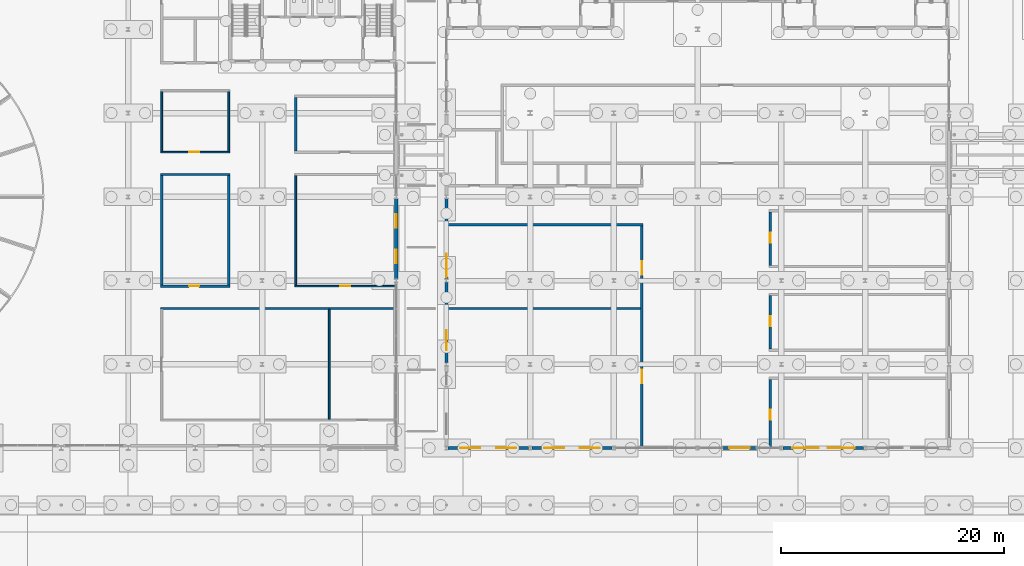
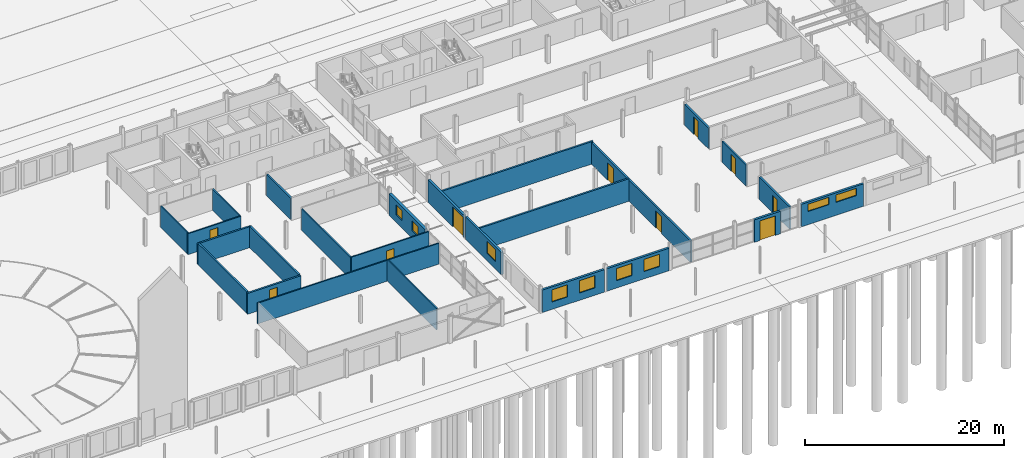
# One storey, part 80 of 130: 25 walls, 10 doors, 9 windows, 19 openings.
"""IFC4 building model written with IfcOpenShell, lengths in metres."""

from ifc_helpers import new_model, si_unit, direction, frame, frame_2d, origin, place, context, subcontext, project, spatial, rectangle, extrude, material, layer, layer_set, type_object, element, fill, save


model = new_model("IFC4")

# Units and contexts
model_context = context("Model", 3, precision=1e-05, world=origin(), true_north=direction((0.0, 1.0)))
body_context = subcontext(model_context, "Body", "Model", "MODEL_VIEW")
ifc_project = project(units=[si_unit("LENGTHUNIT", "METRE"), si_unit("AREAUNIT", "SQUARE_METRE"), si_unit("VOLUMEUNIT", "CUBIC_METRE"), si_unit("PLANEANGLEUNIT", "RADIAN"), si_unit("MASSUNIT", "GRAM", prefix="KILO")], contexts=[model_context])

# Site, building, storey
site_placement = place(None, origin())
site = spatial("IfcSite", under=ifc_project, at=site_placement, CompositionType="ELEMENT")
building_placement = place(site_placement, origin())
building = spatial("IfcBuilding", under=site, at=building_placement, Name="Parallax Yard Mobility Hub", CompositionType="ELEMENT")
storey_placement = place(building_placement, origin())
storey = spatial("IfcBuildingStorey", under=building, at=storey_placement, Name="L00", CompositionType="ELEMENT", Elevation=0.0)

# Wall, openings, windows
ifc_material_1 = material(Name="Concrete fc' 35 MPa", Category="concrete")
ifc_layer_1 = layer(ifc_material_1, 0.25)
ifc_layer_set_1 = layer_set([ifc_layer_1], Name="Exterior wall, Concrete fc' 35 MPa precast, 250 with insulation lining")
wall_type_1 = type_object("IfcWallType", Name="Exterior wall, Concrete fc' 35 MPa precast, 250 with insulation lining", PredefinedType="SOLIDWALL", material=ifc_layer_set_1)
wall_1_placement = place(storey_placement, frame((97.653564453125, 7.5, 0.0), z_axis=(0.0, 0.0, 1.0), x_axis=(1.0, 0.0, 0.0)))
wall_1 = element("IfcWall", 1, at=wall_1_placement, inside=storey, type_object=wall_type_1, Name="Mobility service centre and workshops south wall bay 1 level L00", PredefinedType="SOLIDWALL", context=body_context, shape_type="SweptSolid", body=[
    extrude(rectangle(XDim=7.19287109375, YDim=0.25, at=frame_2d((3.596435546875, 0.0))), origin(), (0.0, 0.0, 1.0), 2.7509765625),
])
opening_1_placement = place(wall_1_placement, frame((1.09765625, 0.0, 0.89990234375)))
opening_1 = element("IfcOpeningElement", 2, at=opening_1_placement, cuts=wall_1, Name="Opening W5", PredefinedType="OPENING", context=body_context, shape_type="SweptSolid", body=[
    extrude(rectangle(XDim=1.800048828125, YDim=1.5, at=frame_2d((0.89990234375, 0.75))), frame((0.0, 0.135009765625, 0.0), z_axis=(0.0, -1.0, 0.0), x_axis=(1.0, 0.0, 0.0)), (0.0, 0.0, 1.0), 0.27001953125),
])
opening_2_placement = place(wall_1_placement, frame((4.29541015625, 0.0, 0.89990234375)))
opening_2 = element("IfcOpeningElement", 3, at=opening_2_placement, cuts=wall_1, Name="Opening W5", PredefinedType="OPENING", context=body_context, shape_type="SweptSolid", body=[
    extrude(rectangle(XDim=1.800048828125, YDim=1.5, at=frame_2d((0.89990234375, 0.75))), frame((0.0, 0.135009765625, 0.0), z_axis=(0.0, -1.0, 0.0), x_axis=(1.0, 0.0, 0.0)), (0.0, 0.0, 1.0), 0.27001953125),
])
ifc_material_2 = material(Name="Double glazed low-E unit in thermally broken aluminium frame", Category="aluminium")
window_type_1 = type_object("IfcWindowType", Name="Laboratory window 1800 x 1500", PartitioningType="SINGLE_PANEL", PredefinedType="WINDOW", material=ifc_material_2)
window_1_placement = place(opening_1_placement, origin())
window_1 = element("IfcWindow", 4, at=window_1_placement, inside=storey, type_object=window_type_1, Name="Window W5 level L00", OverallHeight=1.5, OverallWidth=1.800048828125, PartitioningType="SINGLE_PANEL", PredefinedType="WINDOW", context=body_context, shape_type="SweptSolid", body=[
    extrude(rectangle(XDim=1.800048828125, YDim=1.5, at=frame_2d((0.89990234375, 0.75))), frame((0.0, 0.030029296875, 0.0), z_axis=(0.0, -1.0, 0.0), x_axis=(1.0, 0.0, 0.0)), (0.0, 0.0, 1.0), 0.06005859375),
])
fill(opening_1, window_1)
window_2_placement = place(opening_2_placement, origin())
window_2 = element("IfcWindow", 5, at=window_2_placement, inside=storey, type_object=window_type_1, Name="Window W5 level L00", OverallHeight=1.5, OverallWidth=1.800048828125, PartitioningType="SINGLE_PANEL", PredefinedType="WINDOW", context=body_context, shape_type="SweptSolid", body=[
    extrude(rectangle(XDim=1.800048828125, YDim=1.5, at=frame_2d((0.89990234375, 0.75))), frame((0.0, 0.030029296875, 0.0), z_axis=(0.0, -1.0, 0.0), x_axis=(1.0, 0.0, 0.0)), (0.0, 0.0, 1.0), 0.06005859375),
])
fill(opening_2, window_2)

wall_2_placement = place(storey_placement, frame((105.153564453125, 7.5, 0.0), z_axis=(0.0, 0.0, 1.0), x_axis=(1.0, 0.0, 0.0)))
wall_2 = element("IfcWall", 6, at=wall_2_placement, inside=storey, type_object=wall_type_1, Name="Mobility service centre and workshops south wall bay 2 level L00", PredefinedType="SOLIDWALL", context=body_context, shape_type="SweptSolid", body=[
    extrude(rectangle(XDim=7.19287109375, YDim=0.25, at=frame_2d((3.596435546875, 0.0))), origin(), (0.0, 0.0, 1.0), 2.7509765625),
])
opening_3_placement = place(wall_2_placement, frame((1.09765625, 0.0, 0.89990234375)))
opening_3 = element("IfcOpeningElement", 7, at=opening_3_placement, cuts=wall_2, Name="Opening W5", PredefinedType="OPENING", context=body_context, shape_type="SweptSolid", body=[
    extrude(rectangle(XDim=1.800048828125, YDim=1.5, at=frame_2d((0.89990234375, 0.75))), frame((0.0, 0.135009765625, 0.0), z_axis=(0.0, -1.0, 0.0), x_axis=(1.0, 0.0, 0.0)), (0.0, 0.0, 1.0), 0.27001953125),
])
opening_4_placement = place(wall_2_placement, frame((4.29541015625, 0.0, 0.89990234375)))
opening_4 = element("IfcOpeningElement", 8, at=opening_4_placement, cuts=wall_2, Name="Opening W5", PredefinedType="OPENING", context=body_context, shape_type="SweptSolid", body=[
    extrude(rectangle(XDim=1.800048828125, YDim=1.5, at=frame_2d((0.89990234375, 0.75))), frame((0.0, 0.135009765625, 0.0), z_axis=(0.0, -1.0, 0.0), x_axis=(1.0, 0.0, 0.0)), (0.0, 0.0, 1.0), 0.27001953125),
])
window_3_placement = place(opening_3_placement, origin())
window_3 = element("IfcWindow", 9, at=window_3_placement, inside=storey, type_object=window_type_1, Name="Window W5 level L00", OverallHeight=1.5, OverallWidth=1.800048828125, PartitioningType="SINGLE_PANEL", PredefinedType="WINDOW", context=body_context, shape_type="SweptSolid", body=[
    extrude(rectangle(XDim=1.800048828125, YDim=1.5, at=frame_2d((0.89990234375, 0.75))), frame((0.0, 0.030029296875, 0.0), z_axis=(0.0, -1.0, 0.0), x_axis=(1.0, 0.0, 0.0)), (0.0, 0.0, 1.0), 0.06005859375),
])
fill(opening_3, window_3)
window_4_placement = place(opening_4_placement, origin())
window_4 = element("IfcWindow", 10, at=window_4_placement, inside=storey, type_object=window_type_1, Name="Window W5 level L00", OverallHeight=1.5, OverallWidth=1.800048828125, PartitioningType="SINGLE_PANEL", PredefinedType="WINDOW", context=body_context, shape_type="SweptSolid", body=[
    extrude(rectangle(XDim=1.800048828125, YDim=1.5, at=frame_2d((0.89990234375, 0.75))), frame((0.0, 0.030029296875, 0.0), z_axis=(0.0, -1.0, 0.0), x_axis=(1.0, 0.0, 0.0)), (0.0, 0.0, 1.0), 0.06005859375),
])
fill(opening_4, window_4)

# Wall, opening, door
wall_3_placement = place(storey_placement, frame((122.25, 7.5, 0.0), z_axis=(0.0, 0.0, 1.0), x_axis=(1.0, 0.0, 0.0)))
wall_3 = element("IfcWall", 11, at=wall_3_placement, inside=storey, type_object=wall_type_1, Name="Mobility service centre and workshops south door pier bay 4 level L00", PredefinedType="SOLIDWALL", context=body_context, shape_type="SweptSolid", body=[
    extrude(rectangle(XDim=3.0, YDim=0.25, at=frame_2d((1.5, 0.0))), origin(), (0.0, 0.0, 1.0), 2.7509765625),
])
opening_5_placement = place(wall_3_placement, frame((0.60009765625, 0.0, 0.0)))
opening_5 = element("IfcOpeningElement", 12, at=opening_5_placement, cuts=wall_3, Name="Opening L00-D119", PredefinedType="OPENING", context=body_context, shape_type="SweptSolid", body=[
    extrude(rectangle(XDim=1.800048828125, YDim=2.39990234375, at=frame_2d((0.89990234375, 1.199951171875))), frame((0.0, 0.135009765625, 0.0), z_axis=(0.0, -1.0, 0.0), x_axis=(1.0, 0.0, 0.0)), (0.0, 0.0, 1.0), 0.27001953125),
])
ifc_material_3 = material(Name="Aluminium frame with laminated glass leaves", Category="aluminium")
door_type_1 = type_object("IfcDoorType", Name="Entrance door double 1800 x 2400", OperationType="DOUBLE_DOOR_SINGLE_SWING", PredefinedType="DOOR", material=ifc_material_3)
door_1_placement = place(opening_5_placement, origin())
door_1 = element("IfcDoor", 13, at=door_1_placement, inside=storey, type_object=door_type_1, Name="Entrance door L00-D119", OperationType="DOUBLE_DOOR_SINGLE_SWING", OverallHeight=2.39990234375, OverallWidth=1.800048828125, PredefinedType="DOOR", context=body_context, shape_type="SweptSolid", body=[
    extrude(rectangle(XDim=1.800048828125, YDim=2.39990234375, at=frame_2d((0.89990234375, 1.199951171875))), frame((0.0, 0.02490234375, 0.0), z_axis=(0.0, -1.0, 0.0), x_axis=(1.0, 0.0, 0.0)), (0.0, 0.0, 1.0), 0.050048828125),
])
fill(opening_5, door_1)

# Wall, openings, windows
wall_4_placement = place(storey_placement, frame((127.653564453125, 7.5, 0.0), z_axis=(0.0, 0.0, 1.0), x_axis=(1.0, 0.0, 0.0)))
wall_4 = element("IfcWall", 14, at=wall_4_placement, inside=storey, type_object=wall_type_1, Name="Mobility service centre and workshops south wall bay 5 level L00", PredefinedType="SOLIDWALL", context=body_context, shape_type="SweptSolid", body=[
    extrude(rectangle(XDim=7.19287109375, YDim=0.25, at=frame_2d((3.596435546875, 0.0))), origin(), (0.0, 0.0, 1.0), 2.7509765625),
])
opening_6_placement = place(wall_4_placement, frame((0.797607421875, 0.0, 1.60009765625)))
opening_6 = element("IfcOpeningElement", 15, at=opening_6_placement, cuts=wall_4, Name="Opening W4", PredefinedType="OPENING", context=body_context, shape_type="SweptSolid", body=[
    extrude(rectangle(XDim=2.39990234375, YDim=0.89990234375, at=frame_2d((1.199951171875, 0.449951171875))), frame((0.0, 0.135009765625, 0.0), z_axis=(0.0, -1.0, 0.0), x_axis=(1.0, 0.0, 0.0)), (0.0, 0.0, 1.0), 0.27001953125),
])
opening_7_placement = place(wall_4_placement, frame((3.995361328125, 0.0, 1.60009765625)))
opening_7 = element("IfcOpeningElement", 16, at=opening_7_placement, cuts=wall_4, Name="Opening W4", PredefinedType="OPENING", context=body_context, shape_type="SweptSolid", body=[
    extrude(rectangle(XDim=2.39990234375, YDim=0.89990234375, at=frame_2d((1.199951171875, 0.449951171875))), frame((0.0, 0.135009765625, 0.0), z_axis=(0.0, -1.0, 0.0), x_axis=(1.0, 0.0, 0.0)), (0.0, 0.0, 1.0), 0.27001953125),
])
window_type_2 = type_object("IfcWindowType", Name="Workshop high-level window 2400 x 900", PartitioningType="DOUBLE_PANEL_VERTICAL", PredefinedType="WINDOW", material=ifc_material_2)
window_5_placement = place(opening_6_placement, origin())
window_5 = element("IfcWindow", 17, at=window_5_placement, inside=storey, type_object=window_type_2, Name="Window W4 level L00", OverallHeight=0.89990234375, OverallWidth=2.39990234375, PartitioningType="DOUBLE_PANEL_VERTICAL", PredefinedType="WINDOW", context=body_context, shape_type="SweptSolid", body=[
    extrude(rectangle(XDim=2.39990234375, YDim=0.89990234375, at=frame_2d((1.199951171875, 0.449951171875))), frame((0.0, 0.030029296875, 0.0), z_axis=(0.0, -1.0, 0.0), x_axis=(1.0, 0.0, 0.0)), (0.0, 0.0, 1.0), 0.06005859375),
])
fill(opening_6, window_5)
window_6_placement = place(opening_7_placement, origin())
window_6 = element("IfcWindow", 18, at=window_6_placement, inside=storey, type_object=window_type_2, Name="Window W4 level L00", OverallHeight=0.89990234375, OverallWidth=2.39990234375, PartitioningType="DOUBLE_PANEL_VERTICAL", PredefinedType="WINDOW", context=body_context, shape_type="SweptSolid", body=[
    extrude(rectangle(XDim=2.39990234375, YDim=0.89990234375, at=frame_2d((1.199951171875, 0.449951171875))), frame((0.0, 0.030029296875, 0.0), z_axis=(0.0, -1.0, 0.0), x_axis=(1.0, 0.0, 0.0)), (0.0, 0.0, 1.0), 0.06005859375),
])
fill(opening_7, window_6)

# Wall, opening, window
wall_5_placement = place(storey_placement, frame((97.5, 15.153564453125, 0.0), z_axis=(0.0, 0.0, 1.0), x_axis=(0.0, 1.0, 0.0)))
wall_5 = element("IfcWall", 19, at=wall_5_placement, inside=storey, type_object=wall_type_1, Name="Mobility service centre and workshops west wall bay 2 level L00", PredefinedType="SOLIDWALL", context=body_context, shape_type="SweptSolid", body=[
    extrude(rectangle(XDim=7.19287109375, YDim=0.25, at=frame_2d((3.596435546875, 0.0))), origin(), (0.0, 0.0, 1.0), 2.7509765625),
])
opening_8_placement = place(wall_5_placement, frame((1.09765625, 0.0, 0.89990234375)))
opening_8 = element("IfcOpeningElement", 20, at=opening_8_placement, cuts=wall_5, Name="Opening W5", PredefinedType="OPENING", context=body_context, shape_type="SweptSolid", body=[
    extrude(rectangle(XDim=1.800048828125, YDim=1.5, at=frame_2d((0.89990234375, 0.75))), frame((0.0, 0.135009765625, 0.0), z_axis=(0.0, -1.0, 0.0), x_axis=(1.0, 0.0, 0.0)), (0.0, 0.0, 1.0), 0.27001953125),
])
window_7_placement = place(opening_8_placement, origin())
window_7 = element("IfcWindow", 21, at=window_7_placement, inside=storey, type_object=window_type_1, Name="Window W5 level L00", OverallHeight=1.5, OverallWidth=1.800048828125, PartitioningType="SINGLE_PANEL", PredefinedType="WINDOW", context=body_context, shape_type="SweptSolid", body=[
    extrude(rectangle(XDim=1.800048828125, YDim=1.5, at=frame_2d((0.89990234375, 0.75))), frame((0.0, 0.030029296875, 0.0), z_axis=(0.0, -1.0, 0.0), x_axis=(1.0, 0.0, 0.0)), (0.0, 0.0, 1.0), 0.06005859375),
])
fill(opening_8, window_7)

# Wall, opening, door
wall_6_placement = place(storey_placement, frame((97.5, 22.653564453125, 0.0), z_axis=(0.0, 0.0, 1.0), x_axis=(0.0, 1.0, 0.0)))
wall_6 = element("IfcWall", 22, at=wall_6_placement, inside=storey, type_object=wall_type_1, Name="Mobility service centre and workshops west wall bay 3 level L00", PredefinedType="SOLIDWALL", context=body_context, shape_type="SweptSolid", body=[
    extrude(rectangle(XDim=7.19287109375, YDim=0.25, at=frame_2d((3.596435546875, 0.0))), origin(), (0.0, 0.0, 1.0), 2.7509765625),
])
opening_9_placement = place(wall_6_placement, frame((0.14990234375, 0.0, 0.0)))
opening_9 = element("IfcOpeningElement", 23, at=opening_9_placement, cuts=wall_6, Name="Opening L00-D121", PredefinedType="OPENING", context=body_context, shape_type="SweptSolid", body=[
    extrude(rectangle(XDim=2.10009765625, YDim=2.39990234375, at=frame_2d((1.050048828125, 1.199951171875))), frame((0.0, 0.135009765625, 0.0), z_axis=(0.0, -1.0, 0.0), x_axis=(1.0, 0.0, 0.0)), (0.0, 0.0, 1.0), 0.27001953125),
])
door_type_2 = type_object("IfcDoorType", Name="Cycle hall door double 2100 x 2400", OperationType="DOUBLE_DOOR_SINGLE_SWING", PredefinedType="DOOR", material=ifc_material_3)
door_2_placement = place(opening_9_placement, origin())
door_2 = element("IfcDoor", 24, at=door_2_placement, inside=storey, type_object=door_type_2, Name="Store exit door L00-D121", OperationType="DOUBLE_DOOR_SINGLE_SWING", OverallHeight=2.39990234375, OverallWidth=2.10009765625, PredefinedType="DOOR", context=body_context, shape_type="SweptSolid", body=[
    extrude(rectangle(XDim=2.10009765625, YDim=2.39990234375, at=frame_2d((1.050048828125, 1.199951171875))), frame((0.0, 0.02490234375, 0.0), z_axis=(0.0, -1.0, 0.0), x_axis=(1.0, 0.0, 0.0)), (0.0, 0.0, 1.0), 0.050048828125),
])
fill(opening_9, door_2)

# Wall
ifc_material_4 = material(Name="Fire-rated plasterboard partition, two layers each side")
ifc_layer_2 = layer(ifc_material_4, 0.199951171875)
ifc_layer_set_2 = layer_set([ifc_layer_2], Name="Fire-rated partition 200 mm")
wall_type_2 = type_object("IfcWallType", Name="Fire-rated partition 200 mm", PredefinedType="PARTITIONING", material=ifc_layer_set_2)
wall_7_placement = place(storey_placement, frame((97.625, 20.0, 0.0), z_axis=(0.0, 0.0, 1.0), x_axis=(1.0, 0.0, 0.0)))
element("IfcWall", 25, at=wall_7_placement, inside=storey, type_object=wall_type_2, Name="Partition 6 level L00", PredefinedType="PARTITIONING", context=body_context, shape_type="SweptSolid", body=[
    extrude(rectangle(XDim=17.27490234375, YDim=0.199951171875, at=frame_2d((8.637451171875, 0.0))), origin(), (0.0, 0.0, 1.0), 2.7509765625),
])

# Wall, opening, door
wall_8_placement = place(storey_placement, frame((71.89990234375, 22.0, 0.0), z_axis=(0.0, 0.0, 1.0), x_axis=(1.0, 0.0, 0.0)))
wall_8 = element("IfcWall", 26, at=wall_8_placement, inside=storey, type_object=wall_type_2, Name="Partition 10 level L00", PredefinedType="PARTITIONING", context=body_context, shape_type="SweptSolid", body=[
    extrude(rectangle(XDim=6.2001953125, YDim=0.199951171875, at=frame_2d((3.10009765625, 0.0))), origin(), (0.0, 0.0, 1.0), 2.56005859375),
])
opening_10_placement = place(wall_8_placement, frame((2.550048828125, 0.0, 0.0)))
opening_10 = element("IfcOpeningElement", 27, at=opening_10_placement, cuts=wall_8, Name="Opening L00-D208", PredefinedType="OPENING", context=body_context, shape_type="SweptSolid", body=[
    extrude(rectangle(XDim=0.89990234375, YDim=2.10009765625, at=frame_2d((0.449951171875, 1.050048828125))), frame((0.0, 0.10986328125, 0.0), z_axis=(0.0, -1.0, 0.0), x_axis=(1.0, 0.0, 0.0)), (0.0, 0.0, 1.0), 0.219970703125),
])
ifc_material_5 = material(Name="Hollow metal fire door leaf with intumescent seals")
door_type_3 = type_object("IfcDoorType", Name="Fire door 900 mm FD60", OperationType="NOTDEFINED", PredefinedType="DOOR", material=ifc_material_5)
door_3_placement = place(opening_10_placement, origin())
door_3 = element("IfcDoor", 28, at=door_3_placement, inside=storey, type_object=door_type_3, Name="Door L00-D208 Baggage Room", OperationType="SINGLE_SWING_LEFT", OverallHeight=2.10009765625, OverallWidth=0.89990234375, PredefinedType="DOOR", context=body_context, shape_type="SweptSolid", body=[
    extrude(rectangle(XDim=0.89990234375, YDim=2.10009765625, at=frame_2d((0.449951171875, 1.050048828125))), frame((0.0, 0.02490234375, 0.0), z_axis=(0.0, -1.0, 0.0), x_axis=(1.0, 0.0, 0.0)), (0.0, 0.0, 1.0), 0.050048828125),
])
fill(opening_10, door_3)

# Walls
wall_9_placement = place(storey_placement, frame((97.625, 27.5, 0.0), z_axis=(0.0, 0.0, 1.0), x_axis=(1.0, 0.0, 0.0)))
element("IfcWall", 29, at=wall_9_placement, inside=storey, type_object=wall_type_2, Name="Partition 13 level L00", PredefinedType="PARTITIONING", context=body_context, shape_type="SweptSolid", body=[
    extrude(rectangle(XDim=17.47509765625, YDim=0.199951171875, at=frame_2d((8.737548828125, 0.0))), origin(), (0.0, 0.0, 1.0), 2.7509765625),
])
wall_10_placement = place(storey_placement, frame((71.89990234375, 32.0, 0.0), z_axis=(0.0, 0.0, 1.0), x_axis=(1.0, 0.0, 0.0)))
element("IfcWall", 30, at=wall_10_placement, inside=storey, type_object=wall_type_2, Name="Partition 19 level L00", PredefinedType="PARTITIONING", context=body_context, shape_type="SweptSolid", body=[
    extrude(rectangle(XDim=6.2001953125, YDim=0.199951171875, at=frame_2d((3.10009765625, 0.0))), origin(), (0.0, 0.0, 1.0), 2.56005859375),
])
for number, where, z_axis, x_axis, name in (
    (31, (72.0, 22.10009765625, 0.0), (0.0, 0.0, 1.0), (0.0, 1.0, 0.0), "Partition 73 level L00"),
    (32, (78.0, 22.10009765625, 0.0), (0.0, 0.0, 1.0), (0.0, 1.0, 0.0), "Partition 77 level L00"),
):
    element("IfcWall", number, at=place(storey_placement, frame(where, z_axis=z_axis, x_axis=x_axis)), inside=storey, type_object=wall_type_2, Name=name, PredefinedType="PARTITIONING", context=body_context, shape_type="SweptSolid", body=[
        extrude(rectangle(XDim=9.7998046875, YDim=0.199951171875, at=frame_2d((4.89990234375, 0.0))), origin(), (0.0, 0.0, 1.0), 2.626953125),
    ])
wall_11_placement = place(storey_placement, frame((84.0, 34.10009765625, 0.0), z_axis=(0.0, 0.0, 1.0), x_axis=(0.0, 1.0, 0.0)))
element("IfcWall", 33, at=wall_11_placement, inside=storey, type_object=wall_type_2, Name="Partition 83 level L00", PredefinedType="PARTITIONING", context=body_context, shape_type="SweptSolid", body=[
    extrude(rectangle(XDim=4.7998046875, YDim=0.199951171875, at=frame_2d((2.39990234375, 0.0))), origin(), (0.0, 0.0, 1.0), 2.626953125),
])

# Wall, openings, doors
wall_12_placement = place(storey_placement, frame((115.0, 7.574951171875, 0.0), z_axis=(0.0, 0.0, 1.0), x_axis=(0.0, 1.0, 0.0)))
wall_12 = element("IfcWall", 34, at=wall_12_placement, inside=storey, type_object=wall_type_2, Name="Partition 95 level L00", PredefinedType="PARTITIONING", context=body_context, shape_type="SweptSolid", body=[
    extrude(rectangle(XDim=19.824951171875, YDim=0.199951171875, at=frame_2d((9.91259765625, 0.0))), origin(), (0.0, 0.0, 1.0), 2.626953125),
])
opening_11_placement = place(wall_12_placement, frame((5.72509765625, 0.0, 0.0)))
opening_11 = element("IfcOpeningElement", 35, at=opening_11_placement, cuts=wall_12, Name="Opening L00-D202", PredefinedType="OPENING", context=body_context, shape_type="SweptSolid", body=[
    extrude(rectangle(XDim=1.199951171875, YDim=2.10009765625, at=frame_2d((0.60009765625, 1.050048828125))), frame((0.0, 0.10986328125, 0.0), z_axis=(0.0, -1.0, 0.0), x_axis=(1.0, 0.0, 0.0)), (0.0, 0.0, 1.0), 0.219970703125),
])
opening_12_placement = place(wall_12_placement, frame((15.4501953125, 0.0, 0.0)))
opening_12 = element("IfcOpeningElement", 36, at=opening_12_placement, cuts=wall_12, Name="Opening L00-D210", PredefinedType="OPENING", context=body_context, shape_type="SweptSolid", body=[
    extrude(rectangle(XDim=1.199951171875, YDim=2.10009765625, at=frame_2d((0.60009765625, 1.050048828125))), frame((0.0, 0.10986328125, 0.0), z_axis=(0.0, -1.0, 0.0), x_axis=(1.0, 0.0, 0.0)), (0.0, 0.0, 1.0), 0.219970703125),
])
door_type_4 = type_object("IfcDoorType", Name="Fire door 1200 mm FD60", OperationType="DOUBLE_DOOR_SINGLE_SWING", PredefinedType="DOOR", material=ifc_material_5)
door_4_placement = place(opening_11_placement, origin())
door_4 = element("IfcDoor", 37, at=door_4_placement, inside=storey, type_object=door_type_4, Name="Door L00-D202 EV Equipment Laboratory", OperationType="DOUBLE_DOOR_SINGLE_SWING", OverallHeight=2.10009765625, OverallWidth=1.199951171875, PredefinedType="DOOR", context=body_context, shape_type="SweptSolid", body=[
    extrude(rectangle(XDim=1.199951171875, YDim=2.10009765625, at=frame_2d((0.60009765625, 1.050048828125))), frame((0.0, 0.02490234375, 0.0), z_axis=(0.0, -1.0, 0.0), x_axis=(1.0, 0.0, 0.0)), (0.0, 0.0, 1.0), 0.050048828125),
])
fill(opening_11, door_4)
door_5_placement = place(opening_12_placement, origin())
door_5 = element("IfcDoor", 38, at=door_5_placement, inside=storey, type_object=door_type_4, Name="Door L00-D210 Parts Store", OperationType="DOUBLE_DOOR_SINGLE_SWING", OverallHeight=2.10009765625, OverallWidth=1.199951171875, PredefinedType="DOOR", context=body_context, shape_type="SweptSolid", body=[
    extrude(rectangle(XDim=1.199951171875, YDim=2.10009765625, at=frame_2d((0.60009765625, 1.050048828125))), frame((0.0, 0.02490234375, 0.0), z_axis=(0.0, -1.0, 0.0), x_axis=(1.0, 0.0, 0.0)), (0.0, 0.0, 1.0), 0.050048828125),
])
fill(opening_12, door_5)

# Wall, opening, door
wall_13_placement = place(storey_placement, frame((126.5, 7.574951171875, 0.0), z_axis=(0.0, 0.0, 1.0), x_axis=(0.0, 1.0, 0.0)))
wall_13 = element("IfcWall", 39, at=wall_13_placement, inside=storey, type_object=wall_type_2, Name="Partition 100 level L00", PredefinedType="PARTITIONING", context=body_context, shape_type="SweptSolid", body=[
    extrude(rectangle(XDim=6.074951171875, YDim=0.199951171875, at=frame_2d((3.03759765625, 0.0))), origin(), (0.0, 0.0, 1.0), 2.7509765625),
])
opening_13_placement = place(wall_13_placement, frame((2.47509765625, 0.0, 0.0)))
opening_13 = element("IfcOpeningElement", 40, at=opening_13_placement, cuts=wall_13, Name="Opening L00-D201", PredefinedType="OPENING", context=body_context, shape_type="SweptSolid", body=[
    extrude(rectangle(XDim=0.89990234375, YDim=2.10009765625, at=frame_2d((0.449951171875, 1.050048828125))), frame((0.0, 0.10986328125, 0.0), z_axis=(0.0, -1.0, 0.0), x_axis=(1.0, 0.0, 0.0)), (0.0, 0.0, 1.0), 0.219970703125),
])
door_6_placement = place(opening_13_placement, origin())
door_6 = element("IfcDoor", 41, at=door_6_placement, inside=storey, type_object=door_type_3, Name="Door L00-D201 Service Bay", OperationType="SINGLE_SWING_LEFT", OverallHeight=2.10009765625, OverallWidth=0.89990234375, PredefinedType="DOOR", context=body_context, shape_type="SweptSolid", body=[
    extrude(rectangle(XDim=0.89990234375, YDim=2.10009765625, at=frame_2d((0.449951171875, 1.050048828125))), frame((0.0, 0.02490234375, 0.0), z_axis=(0.0, -1.0, 0.0), x_axis=(1.0, 0.0, 0.0)), (0.0, 0.0, 1.0), 0.050048828125),
])
fill(opening_13, door_6)

wall_14_placement = place(storey_placement, frame((126.5, 16.35009765625, 0.0), z_axis=(0.0, 0.0, 1.0), x_axis=(0.0, 1.0, 0.0)))
wall_14 = element("IfcWall", 42, at=wall_14_placement, inside=storey, type_object=wall_type_2, Name="Partition 101 level L00", PredefinedType="PARTITIONING", context=body_context, shape_type="SweptSolid", body=[
    extrude(rectangle(XDim=4.7998046875, YDim=0.199951171875, at=frame_2d((2.39990234375, 0.0))), origin(), (0.0, 0.0, 1.0), 2.56005859375),
])
opening_14_placement = place(wall_14_placement, frame((2.050048828125, 0.0, 0.0)))
opening_14 = element("IfcOpeningElement", 43, at=opening_14_placement, cuts=wall_14, Name="Opening L00-D205", PredefinedType="OPENING", context=body_context, shape_type="SweptSolid", body=[
    extrude(rectangle(XDim=0.89990234375, YDim=2.10009765625, at=frame_2d((0.449951171875, 1.050048828125))), frame((0.0, 0.10986328125, 0.0), z_axis=(0.0, -1.0, 0.0), x_axis=(1.0, 0.0, 0.0)), (0.0, 0.0, 1.0), 0.219970703125),
])
door_7_placement = place(opening_14_placement, origin())
door_7 = element("IfcDoor", 44, at=door_7_placement, inside=storey, type_object=door_type_3, Name="Door L00-D205 Service Bay", OperationType="SINGLE_SWING_RIGHT", OverallHeight=2.10009765625, OverallWidth=0.89990234375, PredefinedType="DOOR", context=body_context, shape_type="SweptSolid", body=[
    extrude(rectangle(XDim=0.89990234375, YDim=2.10009765625, at=frame_2d((0.449951171875, 1.050048828125))), frame((0.0, 0.02490234375, 0.0), z_axis=(0.0, -1.0, 0.0), x_axis=(1.0, 0.0, 0.0)), (0.0, 0.0, 1.0), 0.050048828125),
])
fill(opening_14, door_7)

wall_15_placement = place(storey_placement, frame((126.5, 23.85009765625, 0.0), z_axis=(0.0, 0.0, 1.0), x_axis=(0.0, 1.0, 0.0)))
wall_15 = element("IfcWall", 45, at=wall_15_placement, inside=storey, type_object=wall_type_2, Name="Partition 102 level L00", PredefinedType="PARTITIONING", context=body_context, shape_type="SweptSolid", body=[
    extrude(rectangle(XDim=4.7998046875, YDim=0.199951171875, at=frame_2d((2.39990234375, 0.0))), origin(), (0.0, 0.0, 1.0), 2.56005859375),
])
opening_15_placement = place(wall_15_placement, frame((2.050048828125, 0.0, 0.0)))
opening_15 = element("IfcOpeningElement", 46, at=opening_15_placement, cuts=wall_15, Name="Opening L00-D211", PredefinedType="OPENING", context=body_context, shape_type="SweptSolid", body=[
    extrude(rectangle(XDim=0.89990234375, YDim=2.10009765625, at=frame_2d((0.449951171875, 1.050048828125))), frame((0.0, 0.10986328125, 0.0), z_axis=(0.0, -1.0, 0.0), x_axis=(1.0, 0.0, 0.0)), (0.0, 0.0, 1.0), 0.219970703125),
])
door_8_placement = place(opening_15_placement, origin())
door_8 = element("IfcDoor", 47, at=door_8_placement, inside=storey, type_object=door_type_3, Name="Door L00-D211 Service Bay", OperationType="SINGLE_SWING_RIGHT", OverallHeight=2.10009765625, OverallWidth=0.89990234375, PredefinedType="DOOR", context=body_context, shape_type="SweptSolid", body=[
    extrude(rectangle(XDim=0.89990234375, YDim=2.10009765625, at=frame_2d((0.449951171875, 1.050048828125))), frame((0.0, 0.02490234375, 0.0), z_axis=(0.0, -1.0, 0.0), x_axis=(1.0, 0.0, 0.0)), (0.0, 0.0, 1.0), 0.050048828125),
])
fill(opening_15, door_8)

# Wall
ifc_material_6 = material(Name="Plasterboard partition on light framing")
ifc_layer_3 = layer(ifc_material_6, 0.14990234375)
ifc_layer_set_3 = layer_set([ifc_layer_3], Name="Partition 150 mm")
wall_type_3 = type_object("IfcWallType", Name="Partition 150 mm", PredefinedType="PARTITIONING", material=ifc_layer_set_3)
wall_16_placement = place(storey_placement, frame((71.925048828125, 20.0, 0.0), z_axis=(0.0, 0.0, 1.0), x_axis=(1.0, 0.0, 0.0)))
element("IfcWall", 48, at=wall_16_placement, inside=storey, type_object=wall_type_3, Name="Partition 5 level L00", PredefinedType="PARTITIONING", context=body_context, shape_type="SweptSolid", body=[
    extrude(rectangle(XDim=21.0, YDim=0.14990234375, at=frame_2d((10.5, 0.0))), origin(), (0.0, 0.0, 1.0), 2.548095703125),
])

# Wall, opening, door
wall_17_placement = place(storey_placement, frame((83.925048828125, 22.0, 0.0), z_axis=(0.0, 0.0, 1.0), x_axis=(1.0, 0.0, 0.0)))
wall_17 = element("IfcWall", 49, at=wall_17_placement, inside=storey, type_object=wall_type_3, Name="Partition 11 level L00", PredefinedType="PARTITIONING", context=body_context, shape_type="SweptSolid", body=[
    extrude(rectangle(XDim=9.0, YDim=0.14990234375, at=frame_2d((4.5, 0.0))), origin(), (0.0, 0.0, 1.0), 2.75390625),
])
opening_16_placement = place(wall_17_placement, frame((4.050048828125, 0.0, 0.0)))
opening_16 = element("IfcOpeningElement", 50, at=opening_16_placement, cuts=wall_17, Name="Opening L00-D209", PredefinedType="OPENING", context=body_context, shape_type="SweptSolid", body=[
    extrude(rectangle(XDim=0.89990234375, YDim=2.10009765625, at=frame_2d((0.449951171875, 1.050048828125))), frame((0.0, 0.0849609375, 0.0), z_axis=(0.0, -1.0, 0.0), x_axis=(1.0, 0.0, 0.0)), (0.0, 0.0, 1.0), 0.169921875),
])
ifc_material_7 = material(Name="Solid timber door leaf", Category="wood")
door_type_5 = type_object("IfcDoorType", Name="Interior door 900 mm", OperationType="NOTDEFINED", PredefinedType="DOOR", material=ifc_material_7)
door_9_placement = place(opening_16_placement, origin())
door_9 = element("IfcDoor", 51, at=door_9_placement, inside=storey, type_object=door_type_5, Name="Door L00-D209 Dispatch Office", OperationType="SINGLE_SWING_LEFT", OverallHeight=2.10009765625, OverallWidth=0.89990234375, PredefinedType="DOOR", context=body_context, shape_type="SweptSolid", body=[
    extrude(rectangle(XDim=0.89990234375, YDim=2.10009765625, at=frame_2d((0.449951171875, 1.050048828125))), frame((0.0, 0.02490234375, 0.0), z_axis=(0.0, -1.0, 0.0), x_axis=(1.0, 0.0, 0.0)), (0.0, 0.0, 1.0), 0.050048828125),
])
fill(opening_16, door_9)

wall_18_placement = place(storey_placement, frame((71.925048828125, 34.0, 0.0), z_axis=(0.0, 0.0, 1.0), x_axis=(1.0, 0.0, 0.0)))
wall_18 = element("IfcWall", 52, at=wall_18_placement, inside=storey, type_object=wall_type_3, Name="Partition 22 level L00", PredefinedType="PARTITIONING", context=body_context, shape_type="SweptSolid", body=[
    extrude(rectangle(XDim=6.14990234375, YDim=0.14990234375, at=frame_2d((3.074951171875, 0.0))), origin(), (0.0, 0.0, 1.0), 2.56005859375),
])
opening_17_placement = place(wall_18_placement, frame((2.550048828125, 0.0, 0.0)))
opening_17 = element("IfcOpeningElement", 53, at=opening_17_placement, cuts=wall_18, Name="Opening L00-D220", PredefinedType="OPENING", context=body_context, shape_type="SweptSolid", body=[
    extrude(rectangle(XDim=0.89990234375, YDim=2.10009765625, at=frame_2d((0.449951171875, 1.050048828125))), frame((0.0, 0.0849609375, 0.0), z_axis=(0.0, -1.0, 0.0), x_axis=(1.0, 0.0, 0.0)), (0.0, 0.0, 1.0), 0.169921875),
])
door_10_placement = place(opening_17_placement, origin())
door_10 = element("IfcDoor", 54, at=door_10_placement, inside=storey, type_object=door_type_5, Name="Door L00-D220 Driver Rest Room", OperationType="SINGLE_SWING_LEFT", OverallHeight=2.10009765625, OverallWidth=0.89990234375, PredefinedType="DOOR", context=body_context, shape_type="SweptSolid", body=[
    extrude(rectangle(XDim=0.89990234375, YDim=2.10009765625, at=frame_2d((0.449951171875, 1.050048828125))), frame((0.0, 0.02490234375, 0.0), z_axis=(0.0, -1.0, 0.0), x_axis=(1.0, 0.0, 0.0)), (0.0, 0.0, 1.0), 0.050048828125),
])
fill(opening_17, door_10)

# Walls
for number, where, z_axis, x_axis, name in (
    (55, (72.0, 34.074951171875, 0.0), (0.0, 0.0, 1.0), (0.0, 1.0, 0.0), "Partition 74 level L00"),
    (56, (78.0, 34.074951171875, 0.0), (0.0, 0.0, 1.0), (0.0, 1.0, 0.0), "Partition 78 level L00"),
):
    element("IfcWall", number, at=place(storey_placement, frame(where, z_axis=z_axis, x_axis=x_axis)), inside=storey, type_object=wall_type_3, Name=name, PredefinedType="PARTITIONING", context=body_context, shape_type="SweptSolid", body=[
        extrude(rectangle(XDim=5.35009765625, YDim=0.14990234375, at=frame_2d((2.675048828125, 0.0))), origin(), (0.0, 0.0, 1.0), 2.626953125),
    ])
for number, where, z_axis, x_axis, name in (
    (57, (84.0, 22.074951171875, 0.0), (0.0, 0.0, 1.0), (0.0, 1.0, 0.0), "Partition 82 level L00"),
    (58, (87.0, 10.074951171875, 0.0), (0.0, 0.0, 1.0), (0.0, 1.0, 0.0), "Partition 84 level L00"),
):
    element("IfcWall", number, at=place(storey_placement, frame(where, z_axis=z_axis, x_axis=x_axis)), inside=storey, type_object=wall_type_3, Name=name, PredefinedType="PARTITIONING", context=body_context, shape_type="SweptSolid", body=[
        extrude(rectangle(XDim=9.85009765625, YDim=0.14990234375, at=frame_2d((4.925048828125, 0.0))), origin(), (0.0, 0.0, 1.0), 2.626953125),
    ])

# Wall, openings, windows
ifc_layer_4 = layer(ifc_material_1, 0.300048828125)
ifc_layer_set_4 = layer_set([ifc_layer_4], Name="Portal end wall, Concrete fc' 35 MPa precast, 300")
wall_type_4 = type_object("IfcWallType", Name="Portal end wall, Concrete fc' 35 MPa precast, 300", PredefinedType="SOLIDWALL", material=ifc_layer_set_4)
wall_19_placement = place(storey_placement, frame((93.0, 22.653564453125, 0.0), z_axis=(0.0, 0.0, 1.0), x_axis=(0.0, 1.0, 0.0)))
wall_19 = element("IfcWall", 59, at=wall_19_placement, inside=storey, type_object=wall_type_4, Name="Bus and taxi deck east end wall bay 3 level L00", PredefinedType="SOLIDWALL", context=body_context, shape_type="SweptSolid", body=[
    extrude(rectangle(XDim=7.19287109375, YDim=0.300048828125, at=frame_2d((3.596435546875, 0.0))), origin(), (0.0, 0.0, 1.0), 2.626953125),
])
opening_18_placement = place(wall_19_placement, frame((1.397705078125, 0.0, 0.89990234375)))
opening_18 = element("IfcOpeningElement", 60, at=opening_18_placement, cuts=wall_19, Name="Opening W6", PredefinedType="OPENING", context=body_context, shape_type="SweptSolid", body=[
    extrude(rectangle(XDim=1.199951171875, YDim=1.199951171875, at=frame_2d((0.60009765625, 0.60009765625))), frame((0.0, 0.16015625, 0.0), z_axis=(0.0, -1.0, 0.0), x_axis=(1.0, 0.0, 0.0)), (0.0, 0.0, 1.0), 0.320068359375),
])
opening_19_placement = place(wall_19_placement, frame((4.59521484375, 0.0, 0.89990234375)))
opening_19 = element("IfcOpeningElement", 61, at=opening_19_placement, cuts=wall_19, Name="Opening W6", PredefinedType="OPENING", context=body_context, shape_type="SweptSolid", body=[
    extrude(rectangle(XDim=1.199951171875, YDim=1.199951171875, at=frame_2d((0.60009765625, 0.60009765625))), frame((0.0, 0.16015625, 0.0), z_axis=(0.0, -1.0, 0.0), x_axis=(1.0, 0.0, 0.0)), (0.0, 0.0, 1.0), 0.320068359375),
])
window_type_3 = type_object("IfcWindowType", Name="Staff room window 1200 x 1200", PartitioningType="SINGLE_PANEL", PredefinedType="WINDOW", material=ifc_material_2)
window_8_placement = place(opening_18_placement, origin())
window_8 = element("IfcWindow", 62, at=window_8_placement, inside=storey, type_object=window_type_3, Name="Window W6 level L00", OverallHeight=1.199951171875, OverallWidth=1.199951171875, PartitioningType="SINGLE_PANEL", PredefinedType="WINDOW", context=body_context, shape_type="SweptSolid", body=[
    extrude(rectangle(XDim=1.199951171875, YDim=1.199951171875, at=frame_2d((0.60009765625, 0.60009765625))), frame((0.0, 0.030029296875, 0.0), z_axis=(0.0, -1.0, 0.0), x_axis=(1.0, 0.0, 0.0)), (0.0, 0.0, 1.0), 0.06005859375),
])
fill(opening_18, window_8)
window_9_placement = place(opening_19_placement, origin())
window_9 = element("IfcWindow", 63, at=window_9_placement, inside=storey, type_object=window_type_3, Name="Window W6 level L00", OverallHeight=1.199951171875, OverallWidth=1.199951171875, PartitioningType="SINGLE_PANEL", PredefinedType="WINDOW", context=body_context, shape_type="SweptSolid", body=[
    extrude(rectangle(XDim=1.199951171875, YDim=1.199951171875, at=frame_2d((0.60009765625, 0.60009765625))), frame((0.0, 0.030029296875, 0.0), z_axis=(0.0, -1.0, 0.0), x_axis=(1.0, 0.0, 0.0)), (0.0, 0.0, 1.0), 0.06005859375),
])
fill(opening_19, window_9)

save(model, "model.ifc")
